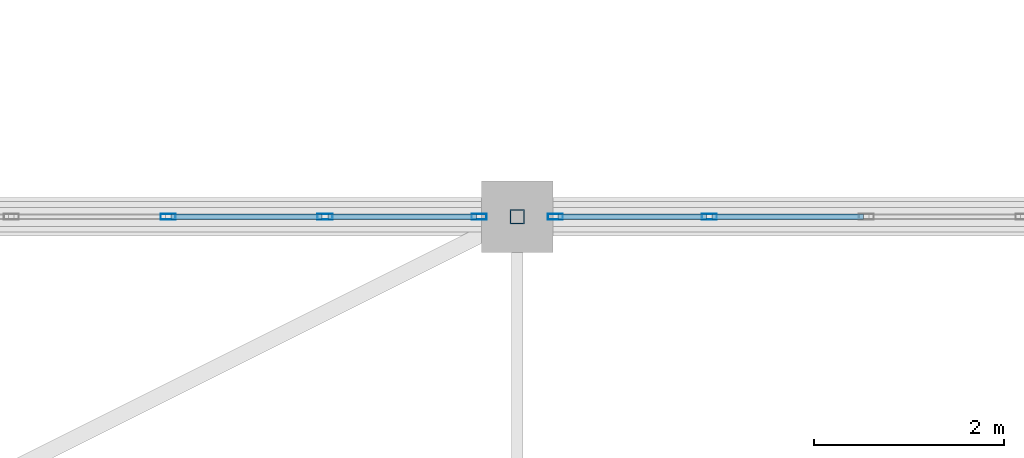
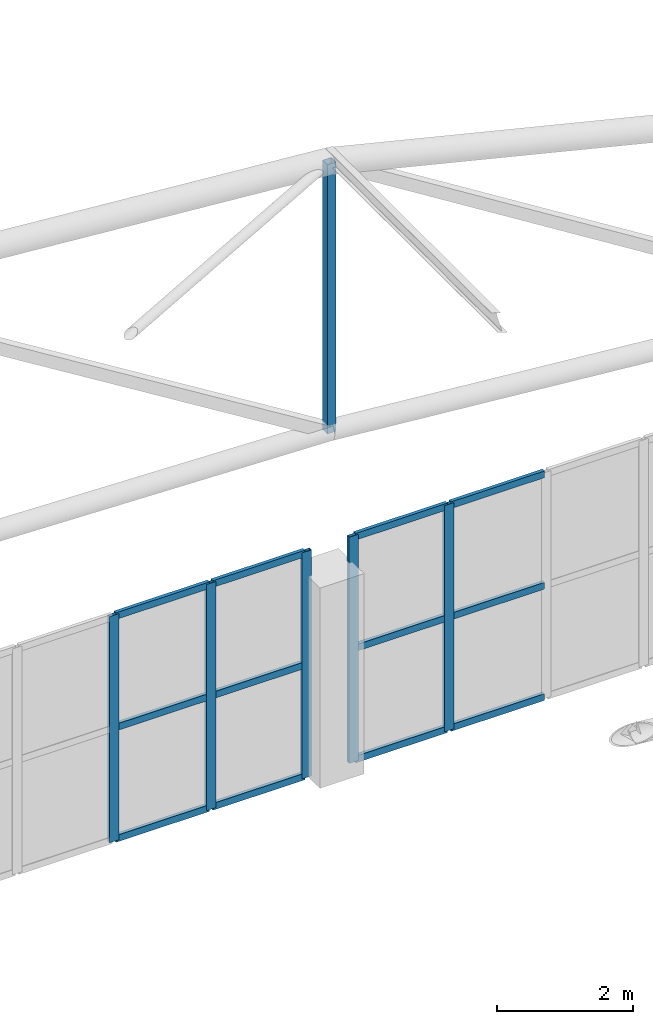
# One storey, part 112 of 167: 18 members, 2 elements without a shape of their own.
"""IFC4 building model written with IfcOpenShell, lengths in metres."""

from ifc_helpers import new_model, si_unit, direction, frame, origin, origin_2d, place, context, subcontext, project, spatial, hollow_rectangle, extrude, material, layer, layer_set, material_profile, profile_set, type_object, element, aggregate, save


model = new_model("IFC4")

# Units and contexts
model_context = context("Model", 3, precision=1e-05, world=origin(), true_north=direction((0.0, 1.0)))
body_context = subcontext(model_context, "Body", "Model", "MODEL_VIEW")
ifc_project = project(units=[si_unit("LENGTHUNIT", "METRE"), si_unit("AREAUNIT", "SQUARE_METRE"), si_unit("VOLUMEUNIT", "CUBIC_METRE"), si_unit("PLANEANGLEUNIT", "RADIAN"), si_unit("MASSUNIT", "GRAM", prefix="KILO")], contexts=[model_context])

# Site, building, storey
site_placement = place(None, origin())
site = spatial("IfcSite", under=ifc_project, at=site_placement, CompositionType="ELEMENT")
building_placement = place(site_placement, origin())
building = spatial("IfcBuilding", under=site, at=building_placement, Name="Dornveld Trade and Exhibition Forum", CompositionType="ELEMENT")
storey_placement = place(building_placement, frame((0.0, 0.0, 16.800048828125)))
storey = spatial("IfcBuildingStorey", under=building, at=storey_placement, Name="L03", CompositionType="ELEMENT", Elevation=16.800048828125)

# Curtain wall, members
ifc_material_1 = material(Name="Dark-bronze anodised aluminium and low-E glass", Category="aluminium")
ifc_layer_1 = layer(ifc_material_1, 0.14794921875)
ifc_layer_set_1 = layer_set([ifc_layer_1], Name="Dark-bronze anodised aluminium and low-E glass")
curtain_wall_type_1 = type_object("IfcCurtainWallType", Name="CW-SYS-02", PredefinedType="USERDEFINED", material=ifc_layer_set_1)
curtain_wall_1_placement = place(storey_placement, origin())
curtain_wall_1 = element("IfcCurtainWall", 1, at=curtain_wall_1_placement, inside=storey, type_object=curtain_wall_type_1, Name="L03 unitised curtain wall 38", ObjectType="UNITISED_CURTAIN_WALL", PredefinedType="USERDEFINED")
ifc_material_2 = material(Name="Dark-bronze anodised aluminium", Category="aluminium")
ifc_material_profile_1 = material_profile(ifc_material_2, hollow_rectangle(XDim=0.06005859375, YDim=0.159912109375, WallThickness=0.00390625, at=origin_2d()), Name="RHS 160x60x4")
ifc_profile_set_1 = profile_set([ifc_material_profile_1], Name="Dark-bronze anodised aluminium")
member_type_1 = type_object("IfcMemberType", Name="CW-MUL-160", PredefinedType="MULLION", material=ifc_profile_set_1)
member_1_placement = place(storey_placement, frame((62.59912109375, 135.0, -0.004150390625), z_axis=(0.0, 0.0, 1.0), x_axis=(0.0, -1.0, 0.0)))
member_1 = element("IfcMember", 2, at=member_1_placement, type_object=member_type_1, Name="CW-02 mullion 1", PredefinedType="MULLION", context=body_context, shape_type="SweptSolid", body=[
    extrude(hollow_rectangle(XDim=0.06005859375, YDim=0.159912109375, WallThickness=0.00390625, at=origin_2d()), origin(), (0.0, 0.0, 1.0), 4.064208984375),
])
member_2_placement = place(storey_placement, frame((60.977294921875, 135.0, -0.004150390625), z_axis=(0.0, 0.0, 1.0), x_axis=(0.0, -1.0, 0.0)))
member_2 = element("IfcMember", 3, at=member_2_placement, type_object=member_type_1, Name="CW-02 mullion 2", PredefinedType="MULLION", context=body_context, shape_type="SweptSolid", body=[
    extrude(hollow_rectangle(XDim=0.06005859375, YDim=0.159912109375, WallThickness=0.00390625, at=origin_2d()), origin(), (0.0, 0.0, 1.0), 4.064208984375),
])
member_3_placement = place(storey_placement, frame((59.32568359375, 135.0, -0.004150390625), z_axis=(0.0, 0.0, 1.0), x_axis=(0.0, -1.0, 0.0)))
member_3 = element("IfcMember", 4, at=member_3_placement, type_object=member_type_1, Name="CW-02 mullion 3", PredefinedType="MULLION", context=body_context, shape_type="SweptSolid", body=[
    extrude(hollow_rectangle(XDim=0.06005859375, YDim=0.159912109375, WallThickness=0.00390625, at=origin_2d()), origin(), (0.0, 0.0, 1.0), 4.064208984375),
])

ifc_material_3 = material(Name="Dark-bronze anodised aluminium and low-E glass", Category="aluminium")
ifc_layer_2 = layer(ifc_material_3, 0.154052734375)
ifc_layer_set_2 = layer_set([ifc_layer_2], Name="Dark-bronze anodised aluminium and low-E glass")
curtain_wall_type_2 = type_object("IfcCurtainWallType", Name="CW-SYS-04", PredefinedType="USERDEFINED", material=ifc_layer_set_2)
curtain_wall_2_placement = place(storey_placement, origin())
curtain_wall_2 = element("IfcCurtainWall", 5, at=curtain_wall_2_placement, inside=storey, type_object=curtain_wall_type_2, Name="L03 unitised curtain wall 40", ObjectType="UNITISED_CURTAIN_WALL", PredefinedType="USERDEFINED")
member_4_placement = place(storey_placement, frame((65.022705078125, 135.0, -0.004150390625), z_axis=(0.0, 0.0, 1.0), x_axis=(0.0, -1.0, 0.0)))
member_4 = element("IfcMember", 6, at=member_4_placement, type_object=member_type_1, Name="CW-04 mullion 5", PredefinedType="MULLION", context=body_context, shape_type="SweptSolid", body=[
    extrude(hollow_rectangle(XDim=0.06005859375, YDim=0.159912109375, WallThickness=0.00390625, at=origin_2d()), origin(), (0.0, 0.0, 1.0), 4.064208984375),
])
member_5_placement = place(storey_placement, frame((63.40087890625, 135.0, -0.004150390625), z_axis=(0.0, 0.0, 1.0), x_axis=(0.0, -1.0, 0.0)))
member_5 = element("IfcMember", 7, at=member_5_placement, type_object=member_type_1, Name="CW-04 mullion 6", PredefinedType="MULLION", context=body_context, shape_type="SweptSolid", body=[
    extrude(hollow_rectangle(XDim=0.06005859375, YDim=0.159912109375, WallThickness=0.00390625, at=origin_2d()), origin(), (0.0, 0.0, 1.0), 4.064208984375),
])

# Member
ifc_material_4 = material(Name="Dark-bronze anodised aluminium", Category="aluminium")
ifc_material_profile_2 = material_profile(ifc_material_4, hollow_rectangle(XDim=0.06005859375, YDim=0.1201171875, WallThickness=0.00390625, at=origin_2d()), Name="RHS 120x60x4")
ifc_profile_set_2 = profile_set([ifc_material_profile_2], Name="Dark-bronze anodised aluminium")
member_type_2 = type_object("IfcMemberType", Name="CW-TRN-120", PredefinedType="USERDEFINED", material=ifc_profile_set_2)
member_6_placement = place(storey_placement, frame((62.569091796875, 135.0, 0.02587890625), z_axis=(-1.0, 0.0, 0.0), x_axis=(0.0, -1.0, 0.0)))
member_6 = element("IfcMember", 8, at=member_6_placement, type_object=member_type_2, Name="CW-02 transom 1.1", ObjectType="TRANSOM", PredefinedType="USERDEFINED", context=body_context, shape_type="SweptSolid", body=[
    extrude(hollow_rectangle(XDim=0.06005859375, YDim=0.1201171875, WallThickness=0.00390625, at=origin_2d()), origin(), (0.0, 0.0, 1.0), 1.561767578125),
])

member_7_placement = place(storey_placement, frame((62.569091796875, 135.0, 2.02783203125), z_axis=(-1.0, 0.0, 0.0), x_axis=(0.0, -1.0, 0.0)))
member_7 = element("IfcMember", 9, at=member_7_placement, type_object=member_type_2, Name="CW-02 transom 1.2", ObjectType="TRANSOM", PredefinedType="USERDEFINED", context=body_context, shape_type="SweptSolid", body=[
    extrude(hollow_rectangle(XDim=0.06005859375, YDim=0.1201171875, WallThickness=0.00390625, at=origin_2d()), origin(), (0.0, 0.0, 1.0), 1.561767578125),
])

member_8_placement = place(storey_placement, frame((62.569091796875, 135.0, 4.030029296875), z_axis=(-1.0, 0.0, 0.0), x_axis=(0.0, -1.0, 0.0)))
member_8 = element("IfcMember", 10, at=member_8_placement, type_object=member_type_2, Name="CW-02 transom 1.3", ObjectType="TRANSOM", PredefinedType="USERDEFINED", context=body_context, shape_type="SweptSolid", body=[
    extrude(hollow_rectangle(XDim=0.06005859375, YDim=0.1201171875, WallThickness=0.00390625, at=origin_2d()), origin(), (0.0, 0.0, 1.0), 1.561767578125),
])

member_9_placement = place(storey_placement, frame((60.947509765625, 135.0, 0.02587890625), z_axis=(-1.0, 0.0, 0.0), x_axis=(0.0, -1.0, 0.0)))
member_9 = element("IfcMember", 11, at=member_9_placement, type_object=member_type_2, Name="CW-02 transom 2.1", ObjectType="TRANSOM", PredefinedType="USERDEFINED", context=body_context, shape_type="SweptSolid", body=[
    extrude(hollow_rectangle(XDim=0.06005859375, YDim=0.1201171875, WallThickness=0.00390625, at=origin_2d()), origin(), (0.0, 0.0, 1.0), 1.591796875),
])

member_10_placement = place(storey_placement, frame((60.947509765625, 135.0, 2.02783203125), z_axis=(-1.0, 0.0, 0.0), x_axis=(0.0, -1.0, 0.0)))
member_10 = element("IfcMember", 12, at=member_10_placement, type_object=member_type_2, Name="CW-02 transom 2.2", ObjectType="TRANSOM", PredefinedType="USERDEFINED", context=body_context, shape_type="SweptSolid", body=[
    extrude(hollow_rectangle(XDim=0.06005859375, YDim=0.1201171875, WallThickness=0.00390625, at=origin_2d()), origin(), (0.0, 0.0, 1.0), 1.591796875),
])

member_11_placement = place(storey_placement, frame((60.947509765625, 135.0, 4.030029296875), z_axis=(-1.0, 0.0, 0.0), x_axis=(0.0, -1.0, 0.0)))
member_11 = element("IfcMember", 13, at=member_11_placement, type_object=member_type_2, Name="CW-02 transom 2.3", ObjectType="TRANSOM", PredefinedType="USERDEFINED", context=body_context, shape_type="SweptSolid", body=[
    extrude(hollow_rectangle(XDim=0.06005859375, YDim=0.1201171875, WallThickness=0.00390625, at=origin_2d()), origin(), (0.0, 0.0, 1.0), 1.591796875),
])

aggregate(curtain_wall_1, [member_1, member_2, member_3, member_6, member_7, member_8, member_9, member_10, member_11])

member_12_placement = place(storey_placement, frame((66.644287109375, 135.0, 0.02587890625), z_axis=(-1.0, 0.0, 0.0), x_axis=(0.0, -1.0, 0.0)))
member_12 = element("IfcMember", 14, at=member_12_placement, type_object=member_type_2, Name="CW-04 transom 4.1", ObjectType="TRANSOM", PredefinedType="USERDEFINED", context=body_context, shape_type="SweptSolid", body=[
    extrude(hollow_rectangle(XDim=0.06005859375, YDim=0.1201171875, WallThickness=0.00390625, at=origin_2d()), origin(), (0.0, 0.0, 1.0), 1.591796875),
])

member_13_placement = place(storey_placement, frame((66.644287109375, 135.0, 2.02783203125), z_axis=(-1.0, 0.0, 0.0), x_axis=(0.0, -1.0, 0.0)))
member_13 = element("IfcMember", 15, at=member_13_placement, type_object=member_type_2, Name="CW-04 transom 4.2", ObjectType="TRANSOM", PredefinedType="USERDEFINED", context=body_context, shape_type="SweptSolid", body=[
    extrude(hollow_rectangle(XDim=0.06005859375, YDim=0.1201171875, WallThickness=0.00390625, at=origin_2d()), origin(), (0.0, 0.0, 1.0), 1.591796875),
])

member_14_placement = place(storey_placement, frame((66.644287109375, 135.0, 4.030029296875), z_axis=(-1.0, 0.0, 0.0), x_axis=(0.0, -1.0, 0.0)))
member_14 = element("IfcMember", 16, at=member_14_placement, type_object=member_type_2, Name="CW-04 transom 4.3", ObjectType="TRANSOM", PredefinedType="USERDEFINED", context=body_context, shape_type="SweptSolid", body=[
    extrude(hollow_rectangle(XDim=0.06005859375, YDim=0.1201171875, WallThickness=0.00390625, at=origin_2d()), origin(), (0.0, 0.0, 1.0), 1.591796875),
])

member_15_placement = place(storey_placement, frame((64.99267578125, 135.0, 0.02587890625), z_axis=(-1.0, 0.0, 0.0), x_axis=(0.0, -1.0, 0.0)))
member_15 = element("IfcMember", 17, at=member_15_placement, type_object=member_type_2, Name="CW-04 transom 5.1", ObjectType="TRANSOM", PredefinedType="USERDEFINED", context=body_context, shape_type="SweptSolid", body=[
    extrude(hollow_rectangle(XDim=0.06005859375, YDim=0.1201171875, WallThickness=0.00390625, at=origin_2d()), origin(), (0.0, 0.0, 1.0), 1.561767578125),
])

member_16_placement = place(storey_placement, frame((64.99267578125, 135.0, 2.02783203125), z_axis=(-1.0, 0.0, 0.0), x_axis=(0.0, -1.0, 0.0)))
member_16 = element("IfcMember", 18, at=member_16_placement, type_object=member_type_2, Name="CW-04 transom 5.2", ObjectType="TRANSOM", PredefinedType="USERDEFINED", context=body_context, shape_type="SweptSolid", body=[
    extrude(hollow_rectangle(XDim=0.06005859375, YDim=0.1201171875, WallThickness=0.00390625, at=origin_2d()), origin(), (0.0, 0.0, 1.0), 1.561767578125),
])

member_17_placement = place(storey_placement, frame((64.99267578125, 135.0, 4.030029296875), z_axis=(-1.0, 0.0, 0.0), x_axis=(0.0, -1.0, 0.0)))
member_17 = element("IfcMember", 19, at=member_17_placement, type_object=member_type_2, Name="CW-04 transom 5.3", ObjectType="TRANSOM", PredefinedType="USERDEFINED", context=body_context, shape_type="SweptSolid", body=[
    extrude(hollow_rectangle(XDim=0.06005859375, YDim=0.1201171875, WallThickness=0.00390625, at=origin_2d()), origin(), (0.0, 0.0, 1.0), 1.561767578125),
])

aggregate(curtain_wall_2, [member_4, member_5, member_12, member_13, member_14, member_15, member_16, member_17])

ifc_material_5 = material(Name="Steel S355J2", Category="steel")
ifc_material_profile_3 = material_profile(ifc_material_5, hollow_rectangle(XDim=0.14990234375, YDim=0.14990234375, WallThickness=0.008056640625, at=origin_2d()), Name="SHS 150x150x8")
ifc_profile_set_3 = profile_set([ifc_material_profile_3], Name="Steel S355J2")
member_type_3 = type_object("IfcMemberType", Name="MEM-ARCH-STR", PredefinedType="STRUT", material=ifc_profile_set_3)
member_18_placement = place(storey_placement, frame((63.0, 135.0, 6.083251953125), z_axis=(0.0, 0.0, 1.0), x_axis=(1.0, 0.0, 0.0)))
element("IfcMember", 20, at=member_18_placement, inside=storey, type_object=member_type_3, Name="H3 truss 12 strut 5", PredefinedType="STRUT", context=body_context, shape_type="SweptSolid", body=[
    extrude(hollow_rectangle(XDim=0.14990234375, YDim=0.14990234375, WallThickness=0.008056640625, at=origin_2d()), origin(), (0.0, 0.0, 1.0), 4.83349609375),
])

save(model, "model.ifc")
